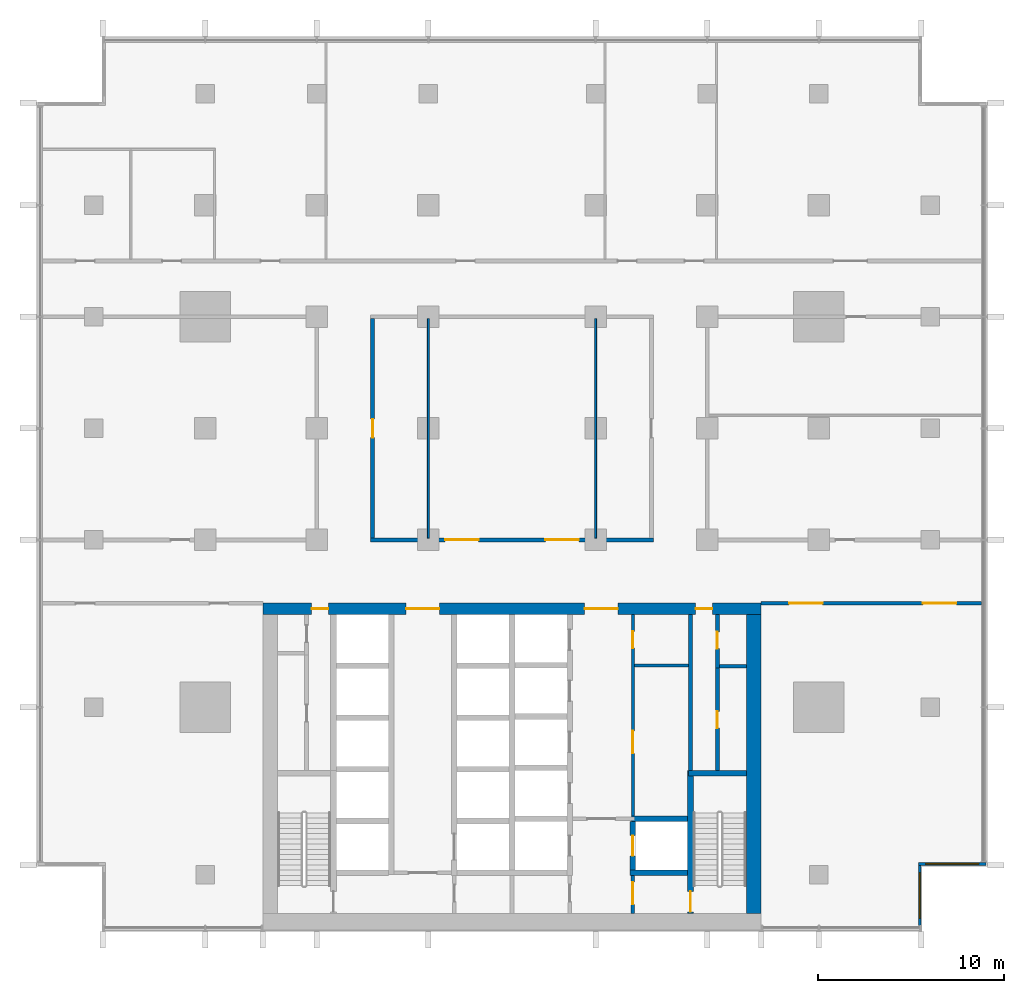
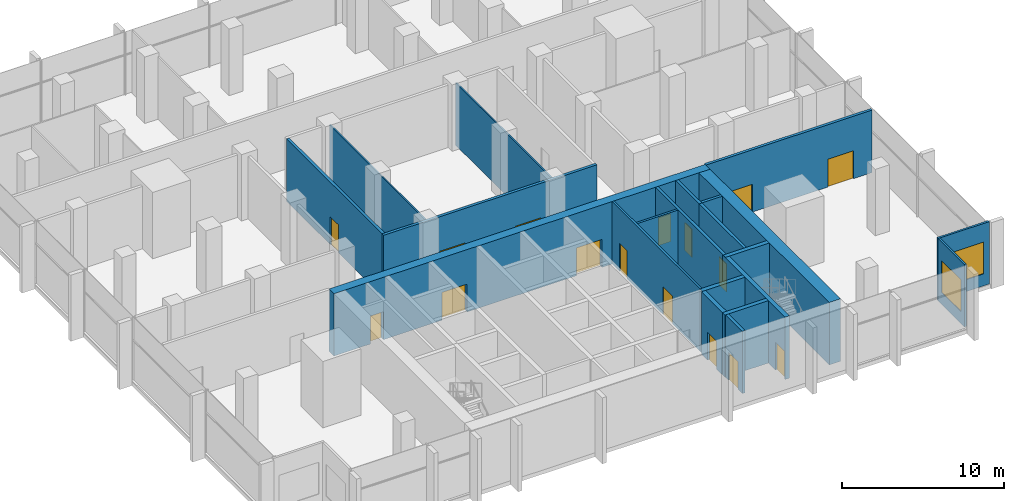
# One storey, part 8 of 14: 21 walls, 16 doors, 2 windows, 18 openings.
"""IFC4 building model written with IfcOpenShell, lengths in metres."""

from ifc_helpers import new_model, si_unit, direction, frame, frame_2d, origin, place, context, subcontext, project, spatial, rectangle, extrude, material, layer, layer_set, type_object, element, fill, save


model = new_model("IFC4")

# Units and contexts
model_context = context("Model", 3, precision=1e-05, world=origin(), true_north=direction((0.0, 1.0)))
body_context = subcontext(model_context, "Body", "Model", "MODEL_VIEW")
ifc_project = project(units=[si_unit("LENGTHUNIT", "METRE"), si_unit("AREAUNIT", "SQUARE_METRE"), si_unit("VOLUMEUNIT", "CUBIC_METRE"), si_unit("PLANEANGLEUNIT", "RADIAN"), si_unit("MASSUNIT", "GRAM", prefix="KILO")], contexts=[model_context])

# Site, building, storey
site_placement = place(None, origin())
site = spatial("IfcSite", under=ifc_project, at=site_placement, CompositionType="ELEMENT")
building_placement = place(site_placement, origin())
building = spatial("IfcBuilding", under=site, at=building_placement, Name="Finial Court Residences", CompositionType="ELEMENT")
storey_placement = place(building_placement, frame((0.0, 0.0, 133.89990234375)))
storey = spatial("IfcBuildingStorey", under=building, at=storey_placement, Name="L33", CompositionType="ELEMENT", Elevation=133.89990234375)

# Wall, openings, doors
ifc_material_1 = material(Name="Concrete C70/85", Category="concrete")
ifc_layer_1 = layer(ifc_material_1, 0.60009765625)
ifc_layer_set_1 = layer_set([ifc_layer_1], Name="Core outer wall 600 Concrete C70/85")
wall_type_1 = type_object("IfcWallType", Name="Core outer wall 600 Concrete C70/85", PredefinedType="SHEAR", material=ifc_layer_set_1)
wall_1_placement = place(storey_placement, frame((-13.39990234375, -8.199951171875, 0.0), z_axis=(0.0, 0.0, 1.0), x_axis=(1.0, 0.0, 0.0)))
wall_1 = element("IfcWall", 1, at=wall_1_placement, inside=storey, type_object=wall_type_1, Name="Core outer wall L33-02", PredefinedType="SHEAR", context=body_context, shape_type="SweptSolid", body=[
    extrude(rectangle(XDim=26.7998046875, YDim=0.60009765625, at=frame_2d((13.39990234375, 0.0))), origin(), (0.0, 0.0, 1.0), 4.7001953125),
])
opening_1_placement = place(wall_1_placement, frame((7.699951171875, 0.0, 0.0)))
opening_1 = element("IfcOpeningElement", 2, at=opening_1_placement, cuts=wall_1, Name="Opening L33-C04", PredefinedType="OPENING", context=body_context, shape_type="SweptSolid", body=[
    extrude(rectangle(XDim=1.800048828125, YDim=2.10009765625, at=frame_2d((0.89990234375, 1.050048828125))), frame((0.0, 0.31005859375, 0.0), z_axis=(0.0, -1.0, 0.0), x_axis=(1.0, 0.0, 0.0)), (0.0, 0.0, 1.0), 0.6201171875),
])
opening_2_placement = place(wall_1_placement, frame((17.300048828125, 0.0, 0.0)))
opening_2 = element("IfcOpeningElement", 3, at=opening_2_placement, cuts=wall_1, Name="Opening L33-C05", PredefinedType="OPENING", context=body_context, shape_type="SweptSolid", body=[
    extrude(rectangle(XDim=1.800048828125, YDim=2.10009765625, at=frame_2d((0.89990234375, 1.050048828125))), frame((0.0, 0.31005859375, 0.0), z_axis=(0.0, -1.0, 0.0), x_axis=(1.0, 0.0, 0.0)), (0.0, 0.0, 1.0), 0.6201171875),
])
opening_3_placement = place(wall_1_placement, frame((2.625, 0.0, 0.0)))
opening_3 = element("IfcOpeningElement", 4, at=opening_3_placement, cuts=wall_1, Name="Opening L33-C09", PredefinedType="OPENING", context=body_context, shape_type="SweptSolid", body=[
    extrude(rectangle(XDim=0.89990234375, YDim=2.10009765625, at=frame_2d((0.449951171875, 1.050048828125))), frame((0.0, 0.31005859375, 0.0), z_axis=(0.0, -1.0, 0.0), x_axis=(1.0, 0.0, 0.0)), (0.0, 0.0, 1.0), 0.6201171875),
])
opening_4_placement = place(wall_1_placement, frame((23.27490234375, 0.0, 0.0)))
opening_4 = element("IfcOpeningElement", 5, at=opening_4_placement, cuts=wall_1, Name="Opening L33-C10", PredefinedType="OPENING", context=body_context, shape_type="SweptSolid", body=[
    extrude(rectangle(XDim=0.89990234375, YDim=2.10009765625, at=frame_2d((0.449951171875, 1.050048828125))), frame((0.0, 0.31005859375, 0.0), z_axis=(0.0, -1.0, 0.0), x_axis=(1.0, 0.0, 0.0)), (0.0, 0.0, 1.0), 0.6201171875),
])
ifc_material_2 = material(Name="Steel fire door", Category="steel")
door_type_1 = type_object("IfcDoorType", Name="Lift lobby door 1800 x 2100 EI 60", OperationType="DOUBLE_DOOR_SINGLE_SWING", PredefinedType="DOOR", material=ifc_material_2)
door_1_placement = place(opening_1_placement, origin())
door_1 = element("IfcDoor", 6, at=door_1_placement, inside=storey, type_object=door_type_1, Name="Lift lobby door L33-C04", OperationType="DOUBLE_DOOR_SINGLE_SWING", OverallHeight=2.10009765625, OverallWidth=1.800048828125, PredefinedType="DOOR", context=body_context, shape_type="SweptSolid", body=[
    extrude(rectangle(XDim=1.800048828125, YDim=2.10009765625, at=frame_2d((0.89990234375, 1.050048828125))), frame((0.0, 0.02490234375, 0.0), z_axis=(0.0, -1.0, 0.0), x_axis=(1.0, 0.0, 0.0)), (0.0, 0.0, 1.0), 0.050048828125),
])
fill(opening_1, door_1)
door_2_placement = place(opening_2_placement, origin())
door_2 = element("IfcDoor", 7, at=door_2_placement, inside=storey, type_object=door_type_1, Name="Lift lobby door L33-C05", OperationType="DOUBLE_DOOR_SINGLE_SWING", OverallHeight=2.10009765625, OverallWidth=1.800048828125, PredefinedType="DOOR", context=body_context, shape_type="SweptSolid", body=[
    extrude(rectangle(XDim=1.800048828125, YDim=2.10009765625, at=frame_2d((0.89990234375, 1.050048828125))), frame((0.0, 0.02490234375, 0.0), z_axis=(0.0, -1.0, 0.0), x_axis=(1.0, 0.0, 0.0)), (0.0, 0.0, 1.0), 0.050048828125),
])
fill(opening_2, door_2)
door_type_2 = type_object("IfcDoorType", Name="Riser room door 900 x 2100 EI 90", OperationType="NOTDEFINED", PredefinedType="DOOR", material=ifc_material_2)
door_3_placement = place(opening_3_placement, origin())
door_3 = element("IfcDoor", 8, at=door_3_placement, inside=storey, type_object=door_type_2, Name="Riser room door L33-C09", OperationType="SINGLE_SWING_RIGHT", OverallHeight=2.10009765625, OverallWidth=0.89990234375, PredefinedType="DOOR", context=body_context, shape_type="SweptSolid", body=[
    extrude(rectangle(XDim=0.89990234375, YDim=2.10009765625, at=frame_2d((0.449951171875, 1.050048828125))), frame((0.0, 0.02490234375, 0.0), z_axis=(0.0, -1.0, 0.0), x_axis=(1.0, 0.0, 0.0)), (0.0, 0.0, 1.0), 0.050048828125),
])
fill(opening_3, door_3)
door_4_placement = place(opening_4_placement, origin())
door_4 = element("IfcDoor", 9, at=door_4_placement, inside=storey, type_object=door_type_2, Name="Riser room door L33-C10", OperationType="SINGLE_SWING_LEFT", OverallHeight=2.10009765625, OverallWidth=0.89990234375, PredefinedType="DOOR", context=body_context, shape_type="SweptSolid", body=[
    extrude(rectangle(XDim=0.89990234375, YDim=2.10009765625, at=frame_2d((0.449951171875, 1.050048828125))), frame((0.0, 0.02490234375, 0.0), z_axis=(0.0, -1.0, 0.0), x_axis=(1.0, 0.0, 0.0)), (0.0, 0.0, 1.0), 0.050048828125),
])
fill(opening_4, door_4)

# Walls
ifc_layer_2 = layer(ifc_material_1, 0.800048828125)
ifc_layer_set_2 = layer_set([ifc_layer_2], Name="Core outer wall 800 Concrete C70/85")
wall_type_2 = type_object("IfcWallType", Name="Core outer wall 800 Concrete C70/85", PredefinedType="SHEAR", material=ifc_layer_set_2)
wall_2_placement = place(storey_placement, frame((13.0, -24.60009765625, 0.0), z_axis=(0.0, 0.0, 1.0), x_axis=(0.0, 1.0, 0.0)))
element("IfcWall", 10, at=wall_2_placement, inside=storey, type_object=wall_type_2, Name="Core outer wall L33-04", PredefinedType="SHEAR", context=body_context, shape_type="SweptSolid", body=[
    extrude(rectangle(XDim=16.10009765625, YDim=0.800048828125, at=frame_2d((8.050048828125, 0.0))), origin(), (0.0, 0.0, 1.0), 4.7001953125),
])
ifc_material_3 = material(Name="Fire-rated gypsum board partition")
ifc_layer_3 = layer(ifc_material_3, 0.14990234375)
ifc_layer_set_3 = layer_set([ifc_layer_3], Name="Core room partition 150 EI 60")
wall_type_3 = type_object("IfcWallType", Name="Core room partition 150 EI 60", PredefinedType="PARTITIONING", material=ifc_layer_set_3)
wall_3_placement = place(storey_placement, frame((6.574951171875, -11.25, 0.0), z_axis=(0.0, 0.0, 1.0), x_axis=(1.0, 0.0, 0.0)))
element("IfcWall", 11, at=wall_3_placement, inside=storey, type_object=wall_type_3, Name="Core partition L33-22", PredefinedType="PARTITIONING", context=body_context, shape_type="SweptSolid", body=[
    extrude(rectangle(XDim=2.925048828125, YDim=0.14990234375, at=frame_2d((1.46240234375, 0.0))), origin(), (0.0, 0.0, 1.0), 4.7001953125),
])

# Wall, openings, doors
wall_4_placement = place(storey_placement, frame((6.5, -8.5, 0.0), z_axis=(0.0, 0.0, 1.0), x_axis=(0.0, -1.0, 0.0)))
wall_4 = element("IfcWall", 12, at=wall_4_placement, inside=storey, type_object=wall_type_3, Name="Core partition L33-37", PredefinedType="PARTITIONING", context=body_context, shape_type="SweptSolid", body=[
    extrude(rectangle(XDim=10.85009765625, YDim=0.14990234375, at=frame_2d((5.425048828125, 0.0))), origin(), (0.0, 0.0, 1.0), 4.7001953125),
])
opening_5_placement = place(wall_4_placement, frame((6.27490234375, 0.0, 0.0)))
opening_5 = element("IfcOpeningElement", 13, at=opening_5_placement, cuts=wall_4, Name="Opening L33-C14", PredefinedType="OPENING", context=body_context, shape_type="SweptSolid", body=[
    extrude(rectangle(XDim=1.199951171875, YDim=2.10009765625, at=frame_2d((0.60009765625, 1.050048828125))), frame((0.0, 0.0849609375, 0.0), z_axis=(0.0, -1.0, 0.0), x_axis=(1.0, 0.0, 0.0)), (0.0, 0.0, 1.0), 0.169921875),
])
opening_6_placement = place(wall_4_placement, frame((0.925048828125, 0.0, 0.0)))
opening_6 = element("IfcOpeningElement", 14, at=opening_6_placement, cuts=wall_4, Name="Opening L33-C15", PredefinedType="OPENING", context=body_context, shape_type="SweptSolid", body=[
    extrude(rectangle(XDim=0.89990234375, YDim=2.10009765625, at=frame_2d((0.449951171875, 1.050048828125))), frame((0.0, 0.0849609375, 0.0), z_axis=(0.0, -1.0, 0.0), x_axis=(1.0, 0.0, 0.0)), (0.0, 0.0, 1.0), 0.169921875),
])
door_type_3 = type_object("IfcDoorType", Name="Core room door 1200 x 2100 EI 60", OperationType="NOTDEFINED", PredefinedType="DOOR", material=ifc_material_2)
door_5_placement = place(opening_5_placement, origin())
door_5 = element("IfcDoor", 15, at=door_5_placement, inside=storey, type_object=door_type_3, Name="Core room door L33-C14", OperationType="SINGLE_SWING_RIGHT", OverallHeight=2.10009765625, OverallWidth=1.199951171875, PredefinedType="DOOR", context=body_context, shape_type="SweptSolid", body=[
    extrude(rectangle(XDim=1.199951171875, YDim=2.10009765625, at=frame_2d((0.60009765625, 1.050048828125))), frame((0.0, 0.02490234375, 0.0), z_axis=(0.0, -1.0, 0.0), x_axis=(1.0, 0.0, 0.0)), (0.0, 0.0, 1.0), 0.050048828125),
])
fill(opening_5, door_5)
door_type_4 = type_object("IfcDoorType", Name="Core room door 900 x 2100 EI 60", OperationType="NOTDEFINED", PredefinedType="DOOR", material=ifc_material_2)
door_6_placement = place(opening_6_placement, origin())
door_6 = element("IfcDoor", 16, at=door_6_placement, inside=storey, type_object=door_type_4, Name="Core room door L33-C15", OperationType="SINGLE_SWING_RIGHT", OverallHeight=2.10009765625, OverallWidth=0.89990234375, PredefinedType="DOOR", context=body_context, shape_type="SweptSolid", body=[
    extrude(rectangle(XDim=0.89990234375, YDim=2.10009765625, at=frame_2d((0.449951171875, 1.050048828125))), frame((0.0, 0.02490234375, 0.0), z_axis=(0.0, -1.0, 0.0), x_axis=(1.0, 0.0, 0.0)), (0.0, 0.0, 1.0), 0.050048828125),
])
fill(opening_6, door_6)

ifc_material_4 = material(Name="Gypsum board")
ifc_layer_4 = layer(ifc_material_4, 0.02490234375)
ifc_material_5 = material(Name="Acoustic mineral wool in double frame")
ifc_layer_5 = layer(ifc_material_5, 0.14990234375)
ifc_layer_6 = layer(ifc_material_4, 0.02490234375)
ifc_layer_set_4 = layer_set([ifc_layer_4, ifc_layer_5, ifc_layer_6], Name="Corridor wall 200, 1 hour")
wall_type_4 = type_object("IfcWallType", Name="Corridor wall 200, 1 hour", PredefinedType="PARTITIONING", material=ifc_layer_set_4)
wall_5_placement = place(storey_placement, frame((13.39990234375, -7.89990234375, 0.0), z_axis=(0.0, 0.0, 1.0), x_axis=(1.0, 0.0, 0.0)))
wall_5 = element("IfcWall", 17, at=wall_5_placement, inside=storey, type_object=wall_type_4, Name="Partition L33-001", PredefinedType="PARTITIONING", context=body_context, shape_type="SweptSolid", body=[
    extrude(rectangle(XDim=11.837646484375, YDim=0.199951171875, at=frame_2d((5.9189453125, 0.0))), origin(), (0.0, 0.0, 1.0), 4.7001953125),
])
opening_7_placement = place(wall_5_placement, frame((1.5, 0.0, 0.0)))
opening_7 = element("IfcOpeningElement", 18, at=opening_7_placement, cuts=wall_5, Name="Opening L33-D003", PredefinedType="OPENING", context=body_context, shape_type="SweptSolid", body=[
    extrude(rectangle(XDim=1.800048828125, YDim=2.10009765625, at=frame_2d((0.89990234375, 1.050048828125))), frame((0.0, 0.10986328125, 0.0), z_axis=(0.0, -1.0, 0.0), x_axis=(1.0, 0.0, 0.0)), (0.0, 0.0, 1.0), 0.219970703125),
])
opening_8_placement = place(wall_5_placement, frame((8.699951171875, 0.0, 0.0)))
opening_8 = element("IfcOpeningElement", 19, at=opening_8_placement, cuts=wall_5, Name="Opening L33-D004", PredefinedType="OPENING", context=body_context, shape_type="SweptSolid", body=[
    extrude(rectangle(XDim=1.800048828125, YDim=2.10009765625, at=frame_2d((0.89990234375, 1.050048828125))), frame((0.0, 0.10986328125, 0.0), z_axis=(0.0, -1.0, 0.0), x_axis=(1.0, 0.0, 0.0)), (0.0, 0.0, 1.0), 0.219970703125),
])
ifc_material_6 = material(Name="Timber door leaf in hollow metal frame", Category="wood")
door_type_5 = type_object("IfcDoorType", Name="Fire door set 1800 x 2100, 30 minutes", OperationType="DOUBLE_DOOR_SINGLE_SWING", PredefinedType="DOOR", material=ifc_material_6)
door_7_placement = place(opening_7_placement, origin())
door_7 = element("IfcDoor", 20, at=door_7_placement, inside=storey, type_object=door_type_5, Name="Door L33-D003", OperationType="DOUBLE_DOOR_SINGLE_SWING", OverallHeight=2.10009765625, OverallWidth=1.800048828125, PredefinedType="DOOR", context=body_context, shape_type="SweptSolid", body=[
    extrude(rectangle(XDim=1.800048828125, YDim=2.10009765625, at=frame_2d((0.89990234375, 1.050048828125))), frame((0.0, 0.02490234375, 0.0), z_axis=(0.0, -1.0, 0.0), x_axis=(1.0, 0.0, 0.0)), (0.0, 0.0, 1.0), 0.050048828125),
])
fill(opening_7, door_7)
door_8_placement = place(opening_8_placement, origin())
door_8 = element("IfcDoor", 21, at=door_8_placement, inside=storey, type_object=door_type_5, Name="Door L33-D004", OperationType="DOUBLE_DOOR_SINGLE_SWING", OverallHeight=2.10009765625, OverallWidth=1.800048828125, PredefinedType="DOOR", context=body_context, shape_type="SweptSolid", body=[
    extrude(rectangle(XDim=1.800048828125, YDim=2.10009765625, at=frame_2d((0.89990234375, 1.050048828125))), frame((0.0, 0.02490234375, 0.0), z_axis=(0.0, -1.0, 0.0), x_axis=(1.0, 0.0, 0.0)), (0.0, 0.0, 1.0), 0.050048828125),
])
fill(opening_8, door_8)

wall_6_placement = place(storey_placement, frame((-7.60009765625, -4.5, 0.0), z_axis=(0.0, 0.0, 1.0), x_axis=(1.0, 0.0, 0.0)))
wall_6 = element("IfcWall", 22, at=wall_6_placement, inside=storey, type_object=wall_type_4, Name="Partition L33-003", PredefinedType="PARTITIONING", context=body_context, shape_type="SweptSolid", body=[
    extrude(rectangle(XDim=15.2001953125, YDim=0.199951171875, at=frame_2d((7.60009765625, 0.0))), origin(), (0.0, 0.0, 1.0), 4.7001953125),
])
opening_9_placement = place(wall_6_placement, frame((4.0, 0.0, 0.0)))
opening_9 = element("IfcOpeningElement", 23, at=opening_9_placement, cuts=wall_6, Name="Opening L33-D006", PredefinedType="OPENING", context=body_context, shape_type="SweptSolid", body=[
    extrude(rectangle(XDim=1.800048828125, YDim=2.10009765625, at=frame_2d((0.89990234375, 1.050048828125))), frame((0.0, 0.10986328125, 0.0), z_axis=(0.0, -1.0, 0.0), x_axis=(1.0, 0.0, 0.0)), (0.0, 0.0, 1.0), 0.219970703125),
])
opening_10_placement = place(wall_6_placement, frame((9.39990234375, 0.0, 0.0)))
opening_10 = element("IfcOpeningElement", 24, at=opening_10_placement, cuts=wall_6, Name="Opening L33-D007", PredefinedType="OPENING", context=body_context, shape_type="SweptSolid", body=[
    extrude(rectangle(XDim=1.800048828125, YDim=2.10009765625, at=frame_2d((0.89990234375, 1.050048828125))), frame((0.0, 0.10986328125, 0.0), z_axis=(0.0, -1.0, 0.0), x_axis=(1.0, 0.0, 0.0)), (0.0, 0.0, 1.0), 0.219970703125),
])
door_9_placement = place(opening_9_placement, origin())
door_9 = element("IfcDoor", 25, at=door_9_placement, inside=storey, type_object=door_type_5, Name="Door L33-D006", OperationType="DOUBLE_DOOR_SINGLE_SWING", OverallHeight=2.10009765625, OverallWidth=1.800048828125, PredefinedType="DOOR", context=body_context, shape_type="SweptSolid", body=[
    extrude(rectangle(XDim=1.800048828125, YDim=2.10009765625, at=frame_2d((0.89990234375, 1.050048828125))), frame((0.0, 0.02490234375, 0.0), z_axis=(0.0, -1.0, 0.0), x_axis=(1.0, 0.0, 0.0)), (0.0, 0.0, 1.0), 0.050048828125),
])
fill(opening_9, door_9)
door_10_placement = place(opening_10_placement, origin())
door_10 = element("IfcDoor", 26, at=door_10_placement, inside=storey, type_object=door_type_5, Name="Door L33-D007", OperationType="DOUBLE_DOOR_SINGLE_SWING", OverallHeight=2.10009765625, OverallWidth=1.800048828125, PredefinedType="DOOR", context=body_context, shape_type="SweptSolid", body=[
    extrude(rectangle(XDim=1.800048828125, YDim=2.10009765625, at=frame_2d((0.89990234375, 1.050048828125))), frame((0.0, 0.02490234375, 0.0), z_axis=(0.0, -1.0, 0.0), x_axis=(1.0, 0.0, 0.0)), (0.0, 0.0, 1.0), 0.050048828125),
])
fill(opening_10, door_10)

# Wall, opening, door
wall_7_placement = place(storey_placement, frame((-7.5, -4.39990234375, 0.0), z_axis=(0.0, 0.0, 1.0), x_axis=(0.0, 1.0, 0.0)))
wall_7 = element("IfcWall", 27, at=wall_7_placement, inside=storey, type_object=wall_type_4, Name="Partition L33-015", PredefinedType="PARTITIONING", context=body_context, shape_type="SweptSolid", body=[
    extrude(rectangle(XDim=11.7998046875, YDim=0.199951171875, at=frame_2d((5.89990234375, 0.0))), origin(), (0.0, 0.0, 1.0), 4.7001953125),
])
opening_11_placement = place(wall_7_placement, frame((5.39990234375, 0.0, 0.0)))
opening_11 = element("IfcOpeningElement", 28, at=opening_11_placement, cuts=wall_7, Name="Opening L33-D017", PredefinedType="OPENING", context=body_context, shape_type="SweptSolid", body=[
    extrude(rectangle(XDim=1.0, YDim=2.10009765625, at=frame_2d((0.5, 1.050048828125))), frame((0.0, 0.10986328125, 0.0), z_axis=(0.0, -1.0, 0.0), x_axis=(1.0, 0.0, 0.0)), (0.0, 0.0, 1.0), 0.219970703125),
])
door_type_6 = type_object("IfcDoorType", Name="Fire door set 1000 x 2100, 30 minutes", OperationType="SINGLE_SWING_LEFT", PredefinedType="DOOR", material=ifc_material_6)
door_11_placement = place(opening_11_placement, origin())
door_11 = element("IfcDoor", 29, at=door_11_placement, inside=storey, type_object=door_type_6, Name="Door L33-D017", OperationType="SINGLE_SWING_LEFT", OverallHeight=2.10009765625, OverallWidth=1.0, PredefinedType="DOOR", context=body_context, shape_type="SweptSolid", body=[
    extrude(rectangle(XDim=1.0, YDim=2.10009765625, at=frame_2d((0.5, 1.050048828125))), frame((0.0, 0.02490234375, 0.0), z_axis=(0.0, -1.0, 0.0), x_axis=(1.0, 0.0, 0.0)), (0.0, 0.0, 1.0), 0.050048828125),
])
fill(opening_11, door_11)

ifc_layer_7 = layer(ifc_material_3, 0.199951171875)
ifc_layer_set_5 = layer_set([ifc_layer_7], Name="Firefighting lobby wall 200 EI 120")
wall_type_5 = type_object("IfcWallType", Name="Firefighting lobby wall 200 EI 120", PredefinedType="PARTITIONING", material=ifc_layer_set_5)
wall_8_placement = place(storey_placement, frame((6.5, -22.550048828125, 0.0), z_axis=(0.0, 0.0, 1.0), x_axis=(0.0, -1.0, 0.0)))
wall_8 = element("IfcWall", 30, at=wall_8_placement, inside=storey, type_object=wall_type_5, Name="Core partition L33-35", PredefinedType="PARTITIONING", context=body_context, shape_type="SweptSolid", body=[
    extrude(rectangle(XDim=2.050048828125, YDim=0.199951171875, at=frame_2d((1.02490234375, 0.0))), origin(), (0.0, 0.0, 1.0), 4.7001953125),
])
opening_12_placement = place(wall_8_placement, frame((0.35009765625, 0.0, 0.0)))
opening_12 = element("IfcOpeningElement", 31, at=opening_12_placement, cuts=wall_8, Name="Opening L33-C01", PredefinedType="OPENING", context=body_context, shape_type="SweptSolid", body=[
    extrude(rectangle(XDim=1.199951171875, YDim=2.10009765625, at=frame_2d((0.60009765625, 1.050048828125))), frame((0.0, 0.10986328125, 0.0), z_axis=(0.0, -1.0, 0.0), x_axis=(1.0, 0.0, 0.0)), (0.0, 0.0, 1.0), 0.219970703125),
])
door_type_7 = type_object("IfcDoorType", Name="Firefighting lobby door 1200 x 2100 EI 90", OperationType="NOTDEFINED", PredefinedType="DOOR", material=ifc_material_2)
door_12_placement = place(opening_12_placement, origin())
door_12 = element("IfcDoor", 32, at=door_12_placement, inside=storey, type_object=door_type_7, Name="Firefighting lobby door L33-C01", OperationType="SINGLE_SWING_RIGHT", OverallHeight=2.10009765625, OverallWidth=1.199951171875, PredefinedType="DOOR", context=body_context, shape_type="SweptSolid", body=[
    extrude(rectangle(XDim=1.199951171875, YDim=2.10009765625, at=frame_2d((0.60009765625, 1.050048828125))), frame((0.0, 0.02490234375, 0.0), z_axis=(0.0, -1.0, 0.0), x_axis=(1.0, 0.0, 0.0)), (0.0, 0.0, 1.0), 0.050048828125),
])
fill(opening_12, door_12)

# Walls
ifc_layer_8 = layer(ifc_material_4, 0.012451171875)
ifc_material_7 = material(Name="Mineral wool in light-gauge frame")
ifc_layer_9 = layer(ifc_material_7, 0.074951171875)
ifc_layer_10 = layer(ifc_material_4, 0.012451171875)
ifc_layer_set_6 = layer_set([ifc_layer_8, ifc_layer_9, ifc_layer_10], Name="Gypsum board partition 100")
wall_type_6 = type_object("IfcWallType", Name="Gypsum board partition 100", PredefinedType="PARTITIONING", material=ifc_layer_set_6)
for number, where, z_axis, x_axis, name in (
    (33, (-4.5, -4.39990234375, 0.0), (0.0, 0.0, 1.0), (0.0, 1.0, 0.0), "Partition L33-016"),
    (34, (4.5, -4.39990234375, 0.0), (0.0, 0.0, 1.0), (0.0, 1.0, 0.0), "Partition L33-017"),
):
    element("IfcWall", number, at=place(storey_placement, frame(where, z_axis=z_axis, x_axis=x_axis)), inside=storey, type_object=wall_type_6, Name=name, PredefinedType="PARTITIONING", context=body_context, shape_type="SweptSolid", body=[
        extrude(rectangle(XDim=11.7998046875, YDim=0.10009765625, at=frame_2d((5.89990234375, 0.0))), origin(), (0.0, 0.0, 1.0), 4.7001953125),
    ])
ifc_layer_11 = layer(ifc_material_1, 0.300048828125)
ifc_layer_set_7 = layer_set([ifc_layer_11], Name="Lift shaft and stair wall 300 Concrete C70/85")
wall_type_7 = type_object("IfcWallType", Name="Lift shaft and stair wall 300 Concrete C70/85", PredefinedType="SHEAR", material=ifc_layer_set_7)
wall_9_placement = place(storey_placement, frame((6.35009765625, -22.39990234375, 0.0), z_axis=(0.0, 0.0, 1.0), x_axis=(1.0, 0.0, 0.0)))
element("IfcWall", 35, at=wall_9_placement, inside=storey, type_object=wall_type_7, Name="Core wall L33-04", PredefinedType="SHEAR", context=body_context, shape_type="SweptSolid", body=[
    extrude(rectangle(XDim=3.099853515625, YDim=0.300048828125, at=frame_2d((1.5498046875, 0.0))), origin(), (0.0, 0.0, 1.0), 4.7001953125),
])
wall_10_placement = place(storey_placement, frame((6.425048828125, -19.5, 0.0), z_axis=(0.0, 0.0, 1.0), x_axis=(1.0, 0.0, 0.0)))
element("IfcWall", 36, at=wall_10_placement, inside=storey, type_object=wall_type_7, Name="Core wall L33-09", PredefinedType="SHEAR", context=body_context, shape_type="SweptSolid", body=[
    extrude(rectangle(XDim=3.02490234375, YDim=0.300048828125, at=frame_2d((1.512451171875, 0.0))), origin(), (0.0, 0.0, 1.0), 4.7001953125),
])
wall_11_placement = place(storey_placement, frame((9.5, -17.050048828125, 0.0), z_axis=(0.0, 0.0, 1.0), x_axis=(1.0, 0.0, 0.0)))
element("IfcWall", 37, at=wall_11_placement, inside=storey, type_object=wall_type_7, Name="Core wall L33-11", PredefinedType="SHEAR", context=body_context, shape_type="SweptSolid", body=[
    extrude(rectangle(XDim=3.10009765625, YDim=0.300048828125, at=frame_2d((1.550048828125, 0.0))), origin(), (0.0, 0.0, 1.0), 4.7001953125),
])

# Wall, opening, door
wall_12_placement = place(storey_placement, frame((6.5, -22.25, 0.0), z_axis=(0.0, 0.0, 1.0), x_axis=(0.0, 1.0, 0.0)))
wall_12 = element("IfcWall", 38, at=wall_12_placement, inside=storey, type_object=wall_type_7, Name="Core wall L33-36", PredefinedType="SHEAR", context=body_context, shape_type="SweptSolid", body=[
    extrude(rectangle(XDim=2.60009765625, YDim=0.300048828125, at=frame_2d((1.300048828125, 0.0))), origin(), (0.0, 0.0, 1.0), 4.7001953125),
])
opening_13_placement = place(wall_12_placement, frame((0.75, 0.0, 0.0)))
opening_13 = element("IfcOpeningElement", 39, at=opening_13_placement, cuts=wall_12, Name="Opening L33-LD02", PredefinedType="OPENING", context=body_context, shape_type="SweptSolid", body=[
    extrude(rectangle(XDim=1.10009765625, YDim=2.10009765625, at=frame_2d((0.550048828125, 1.050048828125))), frame((0.0, 0.159912109375, 0.0), z_axis=(0.0, -1.0, 0.0), x_axis=(1.0, 0.0, 0.0)), (0.0, 0.0, 1.0), 0.320068359375),
])
ifc_material_8 = material(Name="Stainless steel lift door", Category="steel")
door_type_8 = type_object("IfcDoorType", Name="Lift landing door 1100 x 2100 EI 90", OperationType="DOUBLE_DOOR_SLIDING", PredefinedType="DOOR", material=ifc_material_8)
door_13_placement = place(opening_13_placement, origin())
door_13 = element("IfcDoor", 40, at=door_13_placement, inside=storey, type_object=door_type_8, Name="Lift landing door FF2 L33", OperationType="DOUBLE_DOOR_SLIDING", OverallHeight=2.10009765625, OverallWidth=1.10009765625, PredefinedType="DOOR", context=body_context, shape_type="SweptSolid", body=[
    extrude(rectangle(XDim=1.10009765625, YDim=2.10009765625, at=frame_2d((0.550048828125, 1.050048828125))), frame((0.0, 0.02490234375, 0.0), z_axis=(0.0, -1.0, 0.0), x_axis=(1.0, 0.0, 0.0)), (0.0, 0.0, 1.0), 0.050048828125),
])
fill(opening_13, door_13)

wall_13_placement = place(storey_placement, frame((9.60009765625, -16.89990234375, 0.0), z_axis=(0.0, 0.0, 1.0), x_axis=(0.0, -1.0, 0.0)))
wall_13 = element("IfcWall", 41, at=wall_13_placement, inside=storey, type_object=wall_type_7, Name="Core wall L33-38", PredefinedType="SHEAR", context=body_context, shape_type="SweptSolid", body=[
    extrude(rectangle(XDim=7.7001953125, YDim=0.300048828125, at=frame_2d((3.85009765625, 0.0))), origin(), (0.0, 0.0, 1.0), 4.7001953125),
])
opening_14_placement = place(wall_13_placement, frame((6.5, 0.0, 0.0)))
opening_14 = element("IfcOpeningElement", 42, at=opening_14_placement, cuts=wall_13, Name="Opening L33-C17", PredefinedType="OPENING", context=body_context, shape_type="SweptSolid", body=[
    extrude(rectangle(XDim=1.10009765625, YDim=2.10009765625, at=frame_2d((0.550048828125, 1.050048828125))), frame((0.0, 0.159912109375, 0.0), z_axis=(0.0, -1.0, 0.0), x_axis=(1.0, 0.0, 0.0)), (0.0, 0.0, 1.0), 0.320068359375),
])
door_type_9 = type_object("IfcDoorType", Name="Stair door 1100 x 2100 EI 90", OperationType="NOTDEFINED", PredefinedType="DOOR", material=ifc_material_2)
door_14_placement = place(opening_14_placement, origin())
door_14 = element("IfcDoor", 43, at=door_14_placement, inside=storey, type_object=door_type_9, Name="Stair door L33-C17", OperationType="SINGLE_SWING_RIGHT", OverallHeight=2.10009765625, OverallWidth=1.10009765625, PredefinedType="DOOR", context=body_context, shape_type="SweptSolid", body=[
    extrude(rectangle(XDim=1.10009765625, YDim=2.10009765625, at=frame_2d((0.550048828125, 1.050048828125))), frame((0.0, 0.02490234375, 0.0), z_axis=(0.0, -1.0, 0.0), x_axis=(1.0, 0.0, 0.0)), (0.0, 0.0, 1.0), 0.050048828125),
])
fill(opening_14, door_14)

# Wall, opening, window
ifc_material_9 = material(Name="Natural limestone", Category="masonry")
ifc_layer_12 = layer(ifc_material_9, 0.14990234375)
ifc_layer_set_8 = layer_set([ifc_layer_12], Name="Limestone clad wall 150")
wall_type_8 = type_object("IfcWallType", Name="Limestone clad wall 150", PredefinedType="SOLIDWALL", material=ifc_layer_set_8)
wall_14_placement = place(storey_placement, frame((21.925048828125, -22.0, 0.0), z_axis=(0.0, 0.0, 1.0), x_axis=(0.0, -1.0, 0.0)))
wall_14 = element("IfcWall", 44, at=wall_14_placement, inside=storey, type_object=wall_type_8, Name="E-L33-NWE8", PredefinedType="SOLIDWALL", context=body_context, shape_type="SweptSolid", body=[
    extrude(rectangle(XDim=3.237548828125, YDim=0.14990234375, at=frame_2d((1.61865234375, 0.0))), origin(), (0.0, 0.0, 1.0), 4.7001953125),
])
opening_15_placement = place(wall_14_placement, frame((0.398681640625, 0.0, 0.89990234375)))
opening_15 = element("IfcOpeningElement", 45, at=opening_15_placement, cuts=wall_14, Name="Opening WE33-03", PredefinedType="OPENING", context=body_context, shape_type="SweptSolid", body=[
    extrude(rectangle(XDim=2.43994140625, YDim=2.39990234375, at=frame_2d((1.219970703125, 1.199951171875))), frame((0.0, 0.0849609375, 0.0), z_axis=(0.0, -1.0, 0.0), x_axis=(1.0, 0.0, 0.0)), (0.0, 0.0, 1.0), 0.169921875),
])
ifc_material_10 = material(Name="Clear low-e glass", Category="glass")
window_type_1 = type_object("IfcWindowType", Name="Corner window 2440 x 2400", PartitioningType="SINGLE_PANEL", PredefinedType="WINDOW", material=ifc_material_10)
window_1_placement = place(opening_15_placement, origin())
window_1 = element("IfcWindow", 46, at=window_1_placement, inside=storey, type_object=window_type_1, Name="E-L33-NWE8-W1", OverallHeight=2.39990234375, OverallWidth=2.43994140625, PartitioningType="SINGLE_PANEL", PredefinedType="WINDOW", context=body_context, shape_type="SweptSolid", body=[
    extrude(rectangle(XDim=2.43994140625, YDim=2.39990234375, at=frame_2d((1.219970703125, 1.199951171875))), frame((0.0, 0.030029296875, 0.0), z_axis=(0.0, -1.0, 0.0), x_axis=(1.0, 0.0, 0.0)), (0.0, 0.0, 1.0), 0.06005859375),
])
fill(opening_15, window_1)

wall_15_placement = place(storey_placement, frame((25.5, -21.925048828125, 0.0), z_axis=(0.0, 0.0, 1.0), x_axis=(-1.0, 0.0, 0.0)))
wall_15 = element("IfcWall", 47, at=wall_15_placement, inside=storey, type_object=wall_type_8, Name="E-L33-NWS9", PredefinedType="SOLIDWALL", context=body_context, shape_type="SweptSolid", body=[
    extrude(rectangle(XDim=3.64990234375, YDim=0.14990234375, at=frame_2d((1.824951171875, 0.0))), origin(), (0.0, 0.0, 1.0), 4.7001953125),
])
opening_16_placement = place(wall_15_placement, frame((0.39990234375, 0.0, 0.89990234375)))
opening_16 = element("IfcOpeningElement", 48, at=opening_16_placement, cuts=wall_15, Name="Opening WE33-04", PredefinedType="OPENING", context=body_context, shape_type="SweptSolid", body=[
    extrude(rectangle(XDim=2.85009765625, YDim=2.39990234375, at=frame_2d((1.425048828125, 1.199951171875))), frame((0.0, 0.0849609375, 0.0), z_axis=(0.0, -1.0, 0.0), x_axis=(1.0, 0.0, 0.0)), (0.0, 0.0, 1.0), 0.169921875),
])
window_type_2 = type_object("IfcWindowType", Name="Corner window 2850 x 2400", PartitioningType="SINGLE_PANEL", PredefinedType="WINDOW", material=ifc_material_10)
window_2_placement = place(opening_16_placement, origin())
window_2 = element("IfcWindow", 49, at=window_2_placement, inside=storey, type_object=window_type_2, Name="E-L33-NWS9-W1", OverallHeight=2.39990234375, OverallWidth=2.85009765625, PartitioningType="SINGLE_PANEL", PredefinedType="WINDOW", context=body_context, shape_type="SweptSolid", body=[
    extrude(rectangle(XDim=2.85009765625, YDim=2.39990234375, at=frame_2d((1.425048828125, 1.199951171875))), frame((0.0, 0.030029296875, 0.0), z_axis=(0.0, -1.0, 0.0), x_axis=(1.0, 0.0, 0.0)), (0.0, 0.0, 1.0), 0.06005859375),
])
fill(opening_16, window_2)

# Wall
ifc_layer_13 = layer(ifc_material_3, 0.199951171875)
ifc_layer_set_9 = layer_set([ifc_layer_13], Name="Riser room wall 200 EI 120")
wall_type_9 = type_object("IfcWallType", Name="Riser room wall 200 EI 120", PredefinedType="PARTITIONING", material=ifc_layer_set_9)
wall_16_placement = place(storey_placement, frame((11.14990234375, -11.300048828125, 0.0), z_axis=(0.0, 0.0, 1.0), x_axis=(1.0, 0.0, 0.0)))
element("IfcWall", 50, at=wall_16_placement, inside=storey, type_object=wall_type_9, Name="Core partition L33-18", PredefinedType="PARTITIONING", context=body_context, shape_type="SweptSolid", body=[
    extrude(rectangle(XDim=1.4501953125, YDim=0.199951171875, at=frame_2d((0.72509765625, 0.0))), origin(), (0.0, 0.0, 1.0), 4.7001953125),
])

# Wall, opening, door
wall_17_placement = place(storey_placement, frame((11.050048828125, -8.5, 0.0), z_axis=(0.0, 0.0, 1.0), x_axis=(0.0, -1.0, 0.0)))
wall_17 = element("IfcWall", 51, at=wall_17_placement, inside=storey, type_object=wall_type_9, Name="Core partition L33-41", PredefinedType="PARTITIONING", context=body_context, shape_type="SweptSolid", body=[
    extrude(rectangle(XDim=2.89990234375, YDim=0.199951171875, at=frame_2d((1.449951171875, 0.0))), origin(), (0.0, 0.0, 1.0), 4.7001953125),
])
opening_17_placement = place(wall_17_placement, frame((0.949951171875, 0.0, 0.0)))
opening_17 = element("IfcOpeningElement", 52, at=opening_17_placement, cuts=wall_17, Name="Opening L33-C08", PredefinedType="OPENING", context=body_context, shape_type="SweptSolid", body=[
    extrude(rectangle(XDim=0.89990234375, YDim=2.10009765625, at=frame_2d((0.449951171875, 1.050048828125))), frame((0.0, 0.10986328125, 0.0), z_axis=(0.0, -1.0, 0.0), x_axis=(1.0, 0.0, 0.0)), (0.0, 0.0, 1.0), 0.219970703125),
])
door_15_placement = place(opening_17_placement, origin())
door_15 = element("IfcDoor", 53, at=door_15_placement, inside=storey, type_object=door_type_2, Name="Riser room door L33-C08", OperationType="SINGLE_SWING_RIGHT", OverallHeight=2.10009765625, OverallWidth=0.89990234375, PredefinedType="DOOR", context=body_context, shape_type="SweptSolid", body=[
    extrude(rectangle(XDim=0.89990234375, YDim=2.10009765625, at=frame_2d((0.449951171875, 1.050048828125))), frame((0.0, 0.02490234375, 0.0), z_axis=(0.0, -1.0, 0.0), x_axis=(1.0, 0.0, 0.0)), (0.0, 0.0, 1.0), 0.050048828125),
])
fill(opening_17, door_15)

# Wall
ifc_layer_14 = layer(ifc_material_3, 0.199951171875)
ifc_layer_set_10 = layer_set([ifc_layer_14], Name="Stair passage wall 200 EI 180")
wall_type_10 = type_object("IfcWallType", Name="Stair passage wall 200 EI 180", PredefinedType="PARTITIONING", material=ifc_layer_set_10)
wall_18_placement = place(storey_placement, frame((9.60009765625, -16.89990234375, 0.0), z_axis=(0.0, 0.0, 1.0), x_axis=(0.0, 1.0, 0.0)))
element("IfcWall", 54, at=wall_18_placement, inside=storey, type_object=wall_type_10, Name="Core partition L33-39", PredefinedType="PARTITIONING", context=body_context, shape_type="SweptSolid", body=[
    extrude(rectangle(XDim=8.39990234375, YDim=0.199951171875, at=frame_2d((4.199951171875, 0.0))), origin(), (0.0, 0.0, 1.0), 4.7001953125),
])

# Wall, opening, door
wall_19_placement = place(storey_placement, frame((11.050048828125, -11.199951171875, 0.0), z_axis=(0.0, 0.0, 1.0), x_axis=(0.0, -1.0, 0.0)))
wall_19 = element("IfcWall", 55, at=wall_19_placement, inside=storey, type_object=wall_type_10, Name="Core partition L33-40", PredefinedType="PARTITIONING", context=body_context, shape_type="SweptSolid", body=[
    extrude(rectangle(XDim=5.699951171875, YDim=0.199951171875, at=frame_2d((2.85009765625, 0.0))), origin(), (0.0, 0.0, 1.0), 4.7001953125),
])
opening_18_placement = place(wall_19_placement, frame((2.52490234375, 0.0, 0.0)))
opening_18 = element("IfcOpeningElement", 56, at=opening_18_placement, cuts=wall_19, Name="Opening L33-C13", PredefinedType="OPENING", context=body_context, shape_type="SweptSolid", body=[
    extrude(rectangle(XDim=0.89990234375, YDim=2.10009765625, at=frame_2d((0.449951171875, 1.050048828125))), frame((0.0, 0.10986328125, 0.0), z_axis=(0.0, -1.0, 0.0), x_axis=(1.0, 0.0, 0.0)), (0.0, 0.0, 1.0), 0.219970703125),
])
door_16_placement = place(opening_18_placement, origin())
door_16 = element("IfcDoor", 57, at=door_16_placement, inside=storey, type_object=door_type_4, Name="Core room door L33-C13", OperationType="SINGLE_SWING_RIGHT", OverallHeight=2.10009765625, OverallWidth=0.89990234375, PredefinedType="DOOR", context=body_context, shape_type="SweptSolid", body=[
    extrude(rectangle(XDim=0.89990234375, YDim=2.10009765625, at=frame_2d((0.449951171875, 1.050048828125))), frame((0.0, 0.02490234375, 0.0), z_axis=(0.0, -1.0, 0.0), x_axis=(1.0, 0.0, 0.0)), (0.0, 0.0, 1.0), 0.050048828125),
])
fill(opening_18, door_16)

save(model, "model.ifc")
